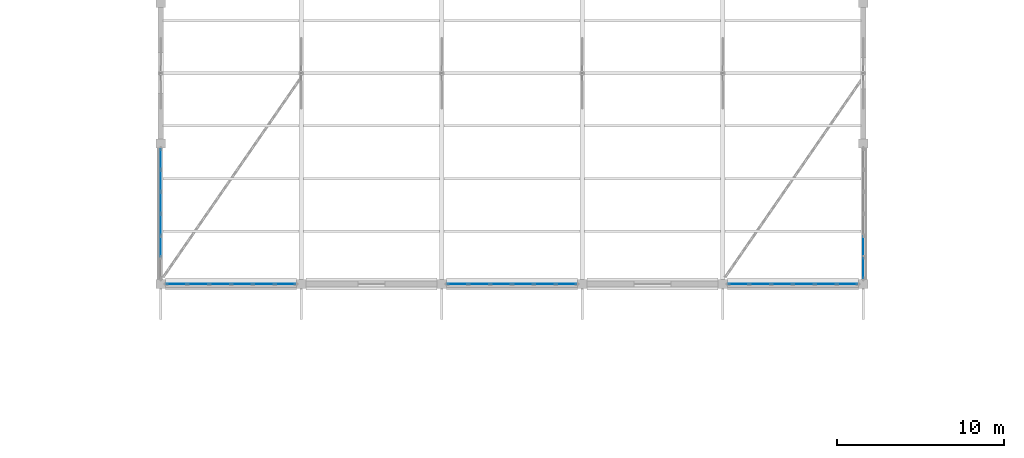
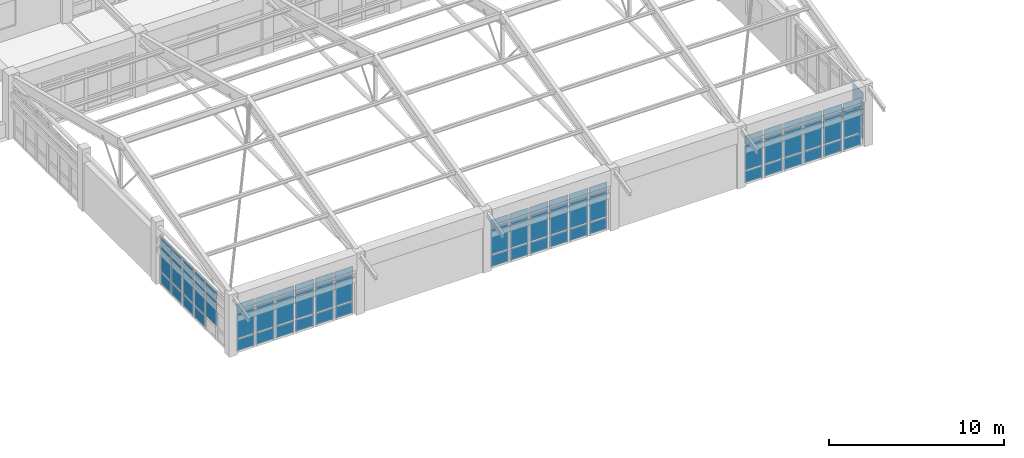
# One storey, part 60 of 99: 72 plates, 5 elements without a shape of their own.
"""IFC4 building model written with IfcOpenShell, lengths in metres."""

from ifc_helpers import new_model, si_unit, direction, frame, origin, origin_2d, place, context, subcontext, project, spatial, rectangle, extrude, material, layer, layer_set, type_object, element, aggregate, save


model = new_model("IFC4")

# Units and contexts
model_context = context("Model", 3, precision=1e-05, world=origin(), true_north=direction((0.0, 1.0)))
body_context = subcontext(model_context, "Body", "Model", "MODEL_VIEW")
ifc_project = project(units=[si_unit("LENGTHUNIT", "METRE"), si_unit("AREAUNIT", "SQUARE_METRE"), si_unit("VOLUMEUNIT", "CUBIC_METRE"), si_unit("PLANEANGLEUNIT", "RADIAN"), si_unit("MASSUNIT", "GRAM", prefix="KILO")], contexts=[model_context])

# Site, building, storey
site_placement = place(None, origin())
site = spatial("IfcSite", under=ifc_project, at=site_placement, CompositionType="ELEMENT")
building_placement = place(site_placement, origin())
building = spatial("IfcBuilding", under=site, at=building_placement, Name="Porcellanite Civic Hall", CompositionType="ELEMENT")
storey_placement = place(building_placement, frame((0.0, 0.0, 5.760009765625)))
storey = spatial("IfcBuildingStorey", under=building, at=storey_placement, Name="L01", CompositionType="ELEMENT", Elevation=5.760009765625)

# Curtain wall, plates
ifc_material_1 = material(Name="Anodised aluminium and solar laminated glass", Category="aluminium")
ifc_layer_1 = layer(ifc_material_1, 0.179931640625)
ifc_layer_set_1 = layer_set([ifc_layer_1], Name="Anodised aluminium and solar laminated glass")
curtain_wall_type = type_object("IfcCurtainWallType", Name="CW-SYS01", PredefinedType="NOTDEFINED", material=ifc_layer_set_1)
curtain_wall_1_placement = place(storey_placement, origin())
curtain_wall_1 = element("IfcCurtainWall", 1, at=curtain_wall_1_placement, inside=storey, type_object=curtain_wall_type, Name="Curtain wall CW-088", PredefinedType="NOTDEFINED")
ifc_material_2 = material(Name="Cyclone laminated solar-control low-E glass", Category="glass")
ifc_layer_2 = layer(ifc_material_2, 0.02392578125)
ifc_layer_set_2 = layer_set([ifc_layer_2], Name="Cyclone laminated solar-control low-E glass")
plate_type = type_object("IfcPlateType", Name="CWP-01", PredefinedType="CURTAIN_PANEL", material=ifc_layer_set_2)
plate_1_placement = place(storey_placement, frame((74.64990234375, 16.800048828125, 0.070068359375), z_axis=(0.0, 0.0, 1.0), x_axis=(-1.0, 0.0, 0.0)))
plate_1 = element("IfcPlate", 2, at=plate_1_placement, type_object=plate_type, Name="CW-088 panel 1.1", PredefinedType="CURTAIN_PANEL", context=body_context, shape_type="SweptSolid", body=[
    extrude(rectangle(XDim=1.18798828125, YDim=0.02392578125, at=origin_2d()), origin(), (0.0, 0.0, 1.0), 0.794921875),
])
plate_2_placement = place(storey_placement, frame((74.64990234375, 16.800048828125, 0.93505859375), z_axis=(0.0, 0.0, 1.0), x_axis=(-1.0, 0.0, 0.0)))
plate_2 = element("IfcPlate", 3, at=plate_2_placement, type_object=plate_type, Name="CW-088 panel 1.2", PredefinedType="CURTAIN_PANEL", context=body_context, shape_type="SweptSolid", body=[
    extrude(rectangle(XDim=1.18798828125, YDim=0.02392578125, at=origin_2d()), origin(), (0.0, 0.0, 1.0), 1.780029296875),
])
plate_3_placement = place(storey_placement, frame((74.64990234375, 16.800048828125, 2.784912109375), z_axis=(0.0, 0.0, 1.0), x_axis=(-1.0, 0.0, 0.0)))
plate_3 = element("IfcPlate", 4, at=plate_3_placement, type_object=plate_type, Name="CW-088 panel 1.3", PredefinedType="CURTAIN_PANEL", context=body_context, shape_type="SweptSolid", body=[
    extrude(rectangle(XDim=1.18798828125, YDim=0.02392578125, at=origin_2d()), origin(), (0.0, 0.0, 1.0), 0.544921875),
])
plate_4_placement = place(storey_placement, frame((73.362060546875, 16.800048828125, 0.070068359375), z_axis=(0.0, 0.0, 1.0), x_axis=(-1.0, 0.0, 0.0)))
plate_4 = element("IfcPlate", 5, at=plate_4_placement, type_object=plate_type, Name="CW-088 panel 2.1", PredefinedType="CURTAIN_PANEL", context=body_context, shape_type="SweptSolid", body=[
    extrude(rectangle(XDim=1.22802734375, YDim=0.02392578125, at=origin_2d()), origin(), (0.0, 0.0, 1.0), 0.794921875),
])
plate_5_placement = place(storey_placement, frame((73.362060546875, 16.800048828125, 0.93505859375), z_axis=(0.0, 0.0, 1.0), x_axis=(-1.0, 0.0, 0.0)))
plate_5 = element("IfcPlate", 6, at=plate_5_placement, type_object=plate_type, Name="CW-088 panel 2.2", PredefinedType="CURTAIN_PANEL", context=body_context, shape_type="SweptSolid", body=[
    extrude(rectangle(XDim=1.22802734375, YDim=0.02392578125, at=origin_2d()), origin(), (0.0, 0.0, 1.0), 1.780029296875),
])
plate_6_placement = place(storey_placement, frame((73.362060546875, 16.800048828125, 2.784912109375), z_axis=(0.0, 0.0, 1.0), x_axis=(-1.0, 0.0, 0.0)))
plate_6 = element("IfcPlate", 7, at=plate_6_placement, type_object=plate_type, Name="CW-088 panel 2.3", PredefinedType="CURTAIN_PANEL", context=body_context, shape_type="SweptSolid", body=[
    extrude(rectangle(XDim=1.22802734375, YDim=0.02392578125, at=origin_2d()), origin(), (0.0, 0.0, 1.0), 0.544921875),
])
plate_7_placement = place(storey_placement, frame((72.053955078125, 16.800048828125, 0.070068359375), z_axis=(0.0, 0.0, 1.0), x_axis=(-1.0, 0.0, 0.0)))
plate_7 = element("IfcPlate", 8, at=plate_7_placement, type_object=plate_type, Name="CW-088 panel 3.1", PredefinedType="CURTAIN_PANEL", context=body_context, shape_type="SweptSolid", body=[
    extrude(rectangle(XDim=1.22802734375, YDim=0.02392578125, at=origin_2d()), origin(), (0.0, 0.0, 1.0), 0.794921875),
])
plate_8_placement = place(storey_placement, frame((72.053955078125, 16.800048828125, 0.93505859375), z_axis=(0.0, 0.0, 1.0), x_axis=(-1.0, 0.0, 0.0)))
plate_8 = element("IfcPlate", 9, at=plate_8_placement, type_object=plate_type, Name="CW-088 panel 3.2", PredefinedType="CURTAIN_PANEL", context=body_context, shape_type="SweptSolid", body=[
    extrude(rectangle(XDim=1.22802734375, YDim=0.02392578125, at=origin_2d()), origin(), (0.0, 0.0, 1.0), 1.780029296875),
])
plate_9_placement = place(storey_placement, frame((72.053955078125, 16.800048828125, 2.784912109375), z_axis=(0.0, 0.0, 1.0), x_axis=(-1.0, 0.0, 0.0)))
plate_9 = element("IfcPlate", 10, at=plate_9_placement, type_object=plate_type, Name="CW-088 panel 3.3", PredefinedType="CURTAIN_PANEL", context=body_context, shape_type="SweptSolid", body=[
    extrude(rectangle(XDim=1.22802734375, YDim=0.02392578125, at=origin_2d()), origin(), (0.0, 0.0, 1.0), 0.544921875),
])
plate_10_placement = place(storey_placement, frame((70.74609375, 16.800048828125, 0.070068359375), z_axis=(0.0, 0.0, 1.0), x_axis=(-1.0, 0.0, 0.0)))
plate_10 = element("IfcPlate", 11, at=plate_10_placement, type_object=plate_type, Name="CW-088 panel 4.1", PredefinedType="CURTAIN_PANEL", context=body_context, shape_type="SweptSolid", body=[
    extrude(rectangle(XDim=1.22802734375, YDim=0.02392578125, at=origin_2d()), origin(), (0.0, 0.0, 1.0), 0.794921875),
])
plate_11_placement = place(storey_placement, frame((70.74609375, 16.800048828125, 0.93505859375), z_axis=(0.0, 0.0, 1.0), x_axis=(-1.0, 0.0, 0.0)))
plate_11 = element("IfcPlate", 12, at=plate_11_placement, type_object=plate_type, Name="CW-088 panel 4.2", PredefinedType="CURTAIN_PANEL", context=body_context, shape_type="SweptSolid", body=[
    extrude(rectangle(XDim=1.22802734375, YDim=0.02392578125, at=origin_2d()), origin(), (0.0, 0.0, 1.0), 1.780029296875),
])
plate_12_placement = place(storey_placement, frame((70.74609375, 16.800048828125, 2.784912109375), z_axis=(0.0, 0.0, 1.0), x_axis=(-1.0, 0.0, 0.0)))
plate_12 = element("IfcPlate", 13, at=plate_12_placement, type_object=plate_type, Name="CW-088 panel 4.3", PredefinedType="CURTAIN_PANEL", context=body_context, shape_type="SweptSolid", body=[
    extrude(rectangle(XDim=1.22802734375, YDim=0.02392578125, at=origin_2d()), origin(), (0.0, 0.0, 1.0), 0.544921875),
])
plate_13_placement = place(storey_placement, frame((69.43798828125, 16.800048828125, 0.070068359375), z_axis=(0.0, 0.0, 1.0), x_axis=(-1.0, 0.0, 0.0)))
plate_13 = element("IfcPlate", 14, at=plate_13_placement, type_object=plate_type, Name="CW-088 panel 5.1", PredefinedType="CURTAIN_PANEL", context=body_context, shape_type="SweptSolid", body=[
    extrude(rectangle(XDim=1.22802734375, YDim=0.02392578125, at=origin_2d()), origin(), (0.0, 0.0, 1.0), 0.794921875),
])
plate_14_placement = place(storey_placement, frame((69.43798828125, 16.800048828125, 0.93505859375), z_axis=(0.0, 0.0, 1.0), x_axis=(-1.0, 0.0, 0.0)))
plate_14 = element("IfcPlate", 15, at=plate_14_placement, type_object=plate_type, Name="CW-088 panel 5.2", PredefinedType="CURTAIN_PANEL", context=body_context, shape_type="SweptSolid", body=[
    extrude(rectangle(XDim=1.22802734375, YDim=0.02392578125, at=origin_2d()), origin(), (0.0, 0.0, 1.0), 1.780029296875),
])
plate_15_placement = place(storey_placement, frame((69.43798828125, 16.800048828125, 2.784912109375), z_axis=(0.0, 0.0, 1.0), x_axis=(-1.0, 0.0, 0.0)))
plate_15 = element("IfcPlate", 16, at=plate_15_placement, type_object=plate_type, Name="CW-088 panel 5.3", PredefinedType="CURTAIN_PANEL", context=body_context, shape_type="SweptSolid", body=[
    extrude(rectangle(XDim=1.22802734375, YDim=0.02392578125, at=origin_2d()), origin(), (0.0, 0.0, 1.0), 0.544921875),
])
plate_16_placement = place(storey_placement, frame((68.14990234375, 16.800048828125, 0.070068359375), z_axis=(0.0, 0.0, 1.0), x_axis=(-1.0, 0.0, 0.0)))
plate_16 = element("IfcPlate", 17, at=plate_16_placement, type_object=plate_type, Name="CW-088 panel 6.1", PredefinedType="CURTAIN_PANEL", context=body_context, shape_type="SweptSolid", body=[
    extrude(rectangle(XDim=1.18798828125, YDim=0.02392578125, at=origin_2d()), origin(), (0.0, 0.0, 1.0), 0.794921875),
])
plate_17_placement = place(storey_placement, frame((68.14990234375, 16.800048828125, 0.93505859375), z_axis=(0.0, 0.0, 1.0), x_axis=(-1.0, 0.0, 0.0)))
plate_17 = element("IfcPlate", 18, at=plate_17_placement, type_object=plate_type, Name="CW-088 panel 6.2", PredefinedType="CURTAIN_PANEL", context=body_context, shape_type="SweptSolid", body=[
    extrude(rectangle(XDim=1.18798828125, YDim=0.02392578125, at=origin_2d()), origin(), (0.0, 0.0, 1.0), 1.780029296875),
])
plate_18_placement = place(storey_placement, frame((68.14990234375, 16.800048828125, 2.784912109375), z_axis=(0.0, 0.0, 1.0), x_axis=(-1.0, 0.0, 0.0)))
plate_18 = element("IfcPlate", 19, at=plate_18_placement, type_object=plate_type, Name="CW-088 panel 6.3", PredefinedType="CURTAIN_PANEL", context=body_context, shape_type="SweptSolid", body=[
    extrude(rectangle(XDim=1.18798828125, YDim=0.02392578125, at=origin_2d()), origin(), (0.0, 0.0, 1.0), 0.544921875),
])
aggregate(curtain_wall_1, [plate_1, plate_2, plate_3, plate_4, plate_5, plate_6, plate_7, plate_8, plate_9, plate_10, plate_11, plate_12, plate_13, plate_14, plate_15, plate_16, plate_17, plate_18])

curtain_wall_2_placement = place(storey_placement, origin())
curtain_wall_2 = element("IfcCurtainWall", 20, at=curtain_wall_2_placement, inside=storey, type_object=curtain_wall_type, Name="Curtain wall CW-089", PredefinedType="NOTDEFINED")
plate_19_placement = place(storey_placement, frame((67.199951171875, 19.0380859375, 0.93505859375), z_axis=(0.0, 0.0, 1.0), x_axis=(0.0, 1.0, 0.0)))
plate_19 = element("IfcPlate", 21, at=plate_19_placement, type_object=plate_type, Name="CW-089 panel 2.2", PredefinedType="CURTAIN_PANEL", context=body_context, shape_type="SweptSolid", body=[
    extrude(rectangle(XDim=1.22802734375, YDim=0.02392578125, at=origin_2d()), origin(), (0.0, 0.0, 1.0), 1.780029296875),
])
plate_20_placement = place(storey_placement, frame((67.199951171875, 19.0380859375, 2.784912109375), z_axis=(0.0, 0.0, 1.0), x_axis=(0.0, 1.0, 0.0)))
plate_20 = element("IfcPlate", 22, at=plate_20_placement, type_object=plate_type, Name="CW-089 panel 2.3", PredefinedType="CURTAIN_PANEL", context=body_context, shape_type="SweptSolid", body=[
    extrude(rectangle(XDim=1.22802734375, YDim=0.02392578125, at=origin_2d()), origin(), (0.0, 0.0, 1.0), 0.544921875),
])
plate_21_placement = place(storey_placement, frame((67.199951171875, 20.345947265625, 0.070068359375), z_axis=(0.0, 0.0, 1.0), x_axis=(0.0, 1.0, 0.0)))
plate_21 = element("IfcPlate", 23, at=plate_21_placement, type_object=plate_type, Name="CW-089 panel 3.1", PredefinedType="CURTAIN_PANEL", context=body_context, shape_type="SweptSolid", body=[
    extrude(rectangle(XDim=1.22802734375, YDim=0.02392578125, at=origin_2d()), origin(), (0.0, 0.0, 1.0), 0.794921875),
])
plate_22_placement = place(storey_placement, frame((67.199951171875, 20.345947265625, 0.93505859375), z_axis=(0.0, 0.0, 1.0), x_axis=(0.0, 1.0, 0.0)))
plate_22 = element("IfcPlate", 24, at=plate_22_placement, type_object=plate_type, Name="CW-089 panel 3.2", PredefinedType="CURTAIN_PANEL", context=body_context, shape_type="SweptSolid", body=[
    extrude(rectangle(XDim=1.22802734375, YDim=0.02392578125, at=origin_2d()), origin(), (0.0, 0.0, 1.0), 1.780029296875),
])
plate_23_placement = place(storey_placement, frame((67.199951171875, 20.345947265625, 2.784912109375), z_axis=(0.0, 0.0, 1.0), x_axis=(0.0, 1.0, 0.0)))
plate_23 = element("IfcPlate", 25, at=plate_23_placement, type_object=plate_type, Name="CW-089 panel 3.3", PredefinedType="CURTAIN_PANEL", context=body_context, shape_type="SweptSolid", body=[
    extrude(rectangle(XDim=1.22802734375, YDim=0.02392578125, at=origin_2d()), origin(), (0.0, 0.0, 1.0), 0.544921875),
])
plate_24_placement = place(storey_placement, frame((67.199951171875, 21.654052734375, 0.070068359375), z_axis=(0.0, 0.0, 1.0), x_axis=(0.0, 1.0, 0.0)))
plate_24 = element("IfcPlate", 26, at=plate_24_placement, type_object=plate_type, Name="CW-089 panel 4.1", PredefinedType="CURTAIN_PANEL", context=body_context, shape_type="SweptSolid", body=[
    extrude(rectangle(XDim=1.22802734375, YDim=0.02392578125, at=origin_2d()), origin(), (0.0, 0.0, 1.0), 0.794921875),
])
plate_25_placement = place(storey_placement, frame((67.199951171875, 21.654052734375, 0.93505859375), z_axis=(0.0, 0.0, 1.0), x_axis=(0.0, 1.0, 0.0)))
plate_25 = element("IfcPlate", 27, at=plate_25_placement, type_object=plate_type, Name="CW-089 panel 4.2", PredefinedType="CURTAIN_PANEL", context=body_context, shape_type="SweptSolid", body=[
    extrude(rectangle(XDim=1.22802734375, YDim=0.02392578125, at=origin_2d()), origin(), (0.0, 0.0, 1.0), 1.780029296875),
])
plate_26_placement = place(storey_placement, frame((67.199951171875, 21.654052734375, 2.784912109375), z_axis=(0.0, 0.0, 1.0), x_axis=(0.0, 1.0, 0.0)))
plate_26 = element("IfcPlate", 28, at=plate_26_placement, type_object=plate_type, Name="CW-089 panel 4.3", PredefinedType="CURTAIN_PANEL", context=body_context, shape_type="SweptSolid", body=[
    extrude(rectangle(XDim=1.22802734375, YDim=0.02392578125, at=origin_2d()), origin(), (0.0, 0.0, 1.0), 0.544921875),
])
plate_27_placement = place(storey_placement, frame((67.199951171875, 22.9619140625, 0.070068359375), z_axis=(0.0, 0.0, 1.0), x_axis=(0.0, 1.0, 0.0)))
plate_27 = element("IfcPlate", 29, at=plate_27_placement, type_object=plate_type, Name="CW-089 panel 5.1", PredefinedType="CURTAIN_PANEL", context=body_context, shape_type="SweptSolid", body=[
    extrude(rectangle(XDim=1.22802734375, YDim=0.02392578125, at=origin_2d()), origin(), (0.0, 0.0, 1.0), 0.794921875),
])
plate_28_placement = place(storey_placement, frame((67.199951171875, 22.9619140625, 0.93505859375), z_axis=(0.0, 0.0, 1.0), x_axis=(0.0, 1.0, 0.0)))
plate_28 = element("IfcPlate", 30, at=plate_28_placement, type_object=plate_type, Name="CW-089 panel 5.2", PredefinedType="CURTAIN_PANEL", context=body_context, shape_type="SweptSolid", body=[
    extrude(rectangle(XDim=1.22802734375, YDim=0.02392578125, at=origin_2d()), origin(), (0.0, 0.0, 1.0), 1.780029296875),
])
plate_29_placement = place(storey_placement, frame((67.199951171875, 22.9619140625, 2.784912109375), z_axis=(0.0, 0.0, 1.0), x_axis=(0.0, 1.0, 0.0)))
plate_29 = element("IfcPlate", 31, at=plate_29_placement, type_object=plate_type, Name="CW-089 panel 5.3", PredefinedType="CURTAIN_PANEL", context=body_context, shape_type="SweptSolid", body=[
    extrude(rectangle(XDim=1.22802734375, YDim=0.02392578125, at=origin_2d()), origin(), (0.0, 0.0, 1.0), 0.544921875),
])
plate_30_placement = place(storey_placement, frame((67.199951171875, 24.25, 0.070068359375), z_axis=(0.0, 0.0, 1.0), x_axis=(0.0, 1.0, 0.0)))
plate_30 = element("IfcPlate", 32, at=plate_30_placement, type_object=plate_type, Name="CW-089 panel 6.1", PredefinedType="CURTAIN_PANEL", context=body_context, shape_type="SweptSolid", body=[
    extrude(rectangle(XDim=1.18798828125, YDim=0.02392578125, at=origin_2d()), origin(), (0.0, 0.0, 1.0), 0.794921875),
])
plate_31_placement = place(storey_placement, frame((67.199951171875, 24.25, 0.93505859375), z_axis=(0.0, 0.0, 1.0), x_axis=(0.0, 1.0, 0.0)))
plate_31 = element("IfcPlate", 33, at=plate_31_placement, type_object=plate_type, Name="CW-089 panel 6.2", PredefinedType="CURTAIN_PANEL", context=body_context, shape_type="SweptSolid", body=[
    extrude(rectangle(XDim=1.18798828125, YDim=0.02392578125, at=origin_2d()), origin(), (0.0, 0.0, 1.0), 1.780029296875),
])
plate_32_placement = place(storey_placement, frame((67.199951171875, 24.25, 2.784912109375), z_axis=(0.0, 0.0, 1.0), x_axis=(0.0, 1.0, 0.0)))
plate_32 = element("IfcPlate", 34, at=plate_32_placement, type_object=plate_type, Name="CW-089 panel 6.3", PredefinedType="CURTAIN_PANEL", context=body_context, shape_type="SweptSolid", body=[
    extrude(rectangle(XDim=1.18798828125, YDim=0.02392578125, at=origin_2d()), origin(), (0.0, 0.0, 1.0), 0.544921875),
])
aggregate(curtain_wall_2, [plate_19, plate_20, plate_21, plate_22, plate_23, plate_24, plate_25, plate_26, plate_27, plate_28, plate_29, plate_30, plate_31, plate_32])

curtain_wall_3_placement = place(storey_placement, origin())
curtain_wall_3 = element("IfcCurtainWall", 35, at=curtain_wall_3_placement, inside=storey, type_object=curtain_wall_type, Name="Curtain wall CW-095", PredefinedType="NOTDEFINED")
plate_33_placement = place(storey_placement, frame((91.449951171875, 16.800048828125, 0.070068359375), z_axis=(0.0, 0.0, 1.0), x_axis=(-1.0, 0.0, 0.0)))
plate_33 = element("IfcPlate", 36, at=plate_33_placement, type_object=plate_type, Name="CW-095 panel 1.1", PredefinedType="CURTAIN_PANEL", context=body_context, shape_type="SweptSolid", body=[
    extrude(rectangle(XDim=1.18798828125, YDim=0.02392578125, at=origin_2d()), origin(), (0.0, 0.0, 1.0), 0.794921875),
])
plate_34_placement = place(storey_placement, frame((91.449951171875, 16.800048828125, 0.93505859375), z_axis=(0.0, 0.0, 1.0), x_axis=(-1.0, 0.0, 0.0)))
plate_34 = element("IfcPlate", 37, at=plate_34_placement, type_object=plate_type, Name="CW-095 panel 1.2", PredefinedType="CURTAIN_PANEL", context=body_context, shape_type="SweptSolid", body=[
    extrude(rectangle(XDim=1.18798828125, YDim=0.02392578125, at=origin_2d()), origin(), (0.0, 0.0, 1.0), 1.780029296875),
])
plate_35_placement = place(storey_placement, frame((91.449951171875, 16.800048828125, 2.784912109375), z_axis=(0.0, 0.0, 1.0), x_axis=(-1.0, 0.0, 0.0)))
plate_35 = element("IfcPlate", 38, at=plate_35_placement, type_object=plate_type, Name="CW-095 panel 1.3", PredefinedType="CURTAIN_PANEL", context=body_context, shape_type="SweptSolid", body=[
    extrude(rectangle(XDim=1.18798828125, YDim=0.02392578125, at=origin_2d()), origin(), (0.0, 0.0, 1.0), 0.544921875),
])
plate_36_placement = place(storey_placement, frame((90.162109375, 16.800048828125, 0.070068359375), z_axis=(0.0, 0.0, 1.0), x_axis=(-1.0, 0.0, 0.0)))
plate_36 = element("IfcPlate", 39, at=plate_36_placement, type_object=plate_type, Name="CW-095 panel 2.1", PredefinedType="CURTAIN_PANEL", context=body_context, shape_type="SweptSolid", body=[
    extrude(rectangle(XDim=1.22802734375, YDim=0.02392578125, at=origin_2d()), origin(), (0.0, 0.0, 1.0), 0.794921875),
])
plate_37_placement = place(storey_placement, frame((90.162109375, 16.800048828125, 0.93505859375), z_axis=(0.0, 0.0, 1.0), x_axis=(-1.0, 0.0, 0.0)))
plate_37 = element("IfcPlate", 40, at=plate_37_placement, type_object=plate_type, Name="CW-095 panel 2.2", PredefinedType="CURTAIN_PANEL", context=body_context, shape_type="SweptSolid", body=[
    extrude(rectangle(XDim=1.22802734375, YDim=0.02392578125, at=origin_2d()), origin(), (0.0, 0.0, 1.0), 1.780029296875),
])
plate_38_placement = place(storey_placement, frame((90.162109375, 16.800048828125, 2.784912109375), z_axis=(0.0, 0.0, 1.0), x_axis=(-1.0, 0.0, 0.0)))
plate_38 = element("IfcPlate", 41, at=plate_38_placement, type_object=plate_type, Name="CW-095 panel 2.3", PredefinedType="CURTAIN_PANEL", context=body_context, shape_type="SweptSolid", body=[
    extrude(rectangle(XDim=1.22802734375, YDim=0.02392578125, at=origin_2d()), origin(), (0.0, 0.0, 1.0), 0.544921875),
])
plate_39_placement = place(storey_placement, frame((88.85400390625, 16.800048828125, 0.070068359375), z_axis=(0.0, 0.0, 1.0), x_axis=(-1.0, 0.0, 0.0)))
plate_39 = element("IfcPlate", 42, at=plate_39_placement, type_object=plate_type, Name="CW-095 panel 3.1", PredefinedType="CURTAIN_PANEL", context=body_context, shape_type="SweptSolid", body=[
    extrude(rectangle(XDim=1.22802734375, YDim=0.02392578125, at=origin_2d()), origin(), (0.0, 0.0, 1.0), 0.794921875),
])
plate_40_placement = place(storey_placement, frame((88.85400390625, 16.800048828125, 0.93505859375), z_axis=(0.0, 0.0, 1.0), x_axis=(-1.0, 0.0, 0.0)))
plate_40 = element("IfcPlate", 43, at=plate_40_placement, type_object=plate_type, Name="CW-095 panel 3.2", PredefinedType="CURTAIN_PANEL", context=body_context, shape_type="SweptSolid", body=[
    extrude(rectangle(XDim=1.22802734375, YDim=0.02392578125, at=origin_2d()), origin(), (0.0, 0.0, 1.0), 1.780029296875),
])
plate_41_placement = place(storey_placement, frame((88.85400390625, 16.800048828125, 2.784912109375), z_axis=(0.0, 0.0, 1.0), x_axis=(-1.0, 0.0, 0.0)))
plate_41 = element("IfcPlate", 44, at=plate_41_placement, type_object=plate_type, Name="CW-095 panel 3.3", PredefinedType="CURTAIN_PANEL", context=body_context, shape_type="SweptSolid", body=[
    extrude(rectangle(XDim=1.22802734375, YDim=0.02392578125, at=origin_2d()), origin(), (0.0, 0.0, 1.0), 0.544921875),
])
plate_42_placement = place(storey_placement, frame((87.5458984375, 16.800048828125, 0.070068359375), z_axis=(0.0, 0.0, 1.0), x_axis=(-1.0, 0.0, 0.0)))
plate_42 = element("IfcPlate", 45, at=plate_42_placement, type_object=plate_type, Name="CW-095 panel 4.1", PredefinedType="CURTAIN_PANEL", context=body_context, shape_type="SweptSolid", body=[
    extrude(rectangle(XDim=1.22802734375, YDim=0.02392578125, at=origin_2d()), origin(), (0.0, 0.0, 1.0), 0.794921875),
])
plate_43_placement = place(storey_placement, frame((87.5458984375, 16.800048828125, 0.93505859375), z_axis=(0.0, 0.0, 1.0), x_axis=(-1.0, 0.0, 0.0)))
plate_43 = element("IfcPlate", 46, at=plate_43_placement, type_object=plate_type, Name="CW-095 panel 4.2", PredefinedType="CURTAIN_PANEL", context=body_context, shape_type="SweptSolid", body=[
    extrude(rectangle(XDim=1.22802734375, YDim=0.02392578125, at=origin_2d()), origin(), (0.0, 0.0, 1.0), 1.780029296875),
])
plate_44_placement = place(storey_placement, frame((87.5458984375, 16.800048828125, 2.784912109375), z_axis=(0.0, 0.0, 1.0), x_axis=(-1.0, 0.0, 0.0)))
plate_44 = element("IfcPlate", 47, at=plate_44_placement, type_object=plate_type, Name="CW-095 panel 4.3", PredefinedType="CURTAIN_PANEL", context=body_context, shape_type="SweptSolid", body=[
    extrude(rectangle(XDim=1.22802734375, YDim=0.02392578125, at=origin_2d()), origin(), (0.0, 0.0, 1.0), 0.544921875),
])
plate_45_placement = place(storey_placement, frame((86.238037109375, 16.800048828125, 0.070068359375), z_axis=(0.0, 0.0, 1.0), x_axis=(-1.0, 0.0, 0.0)))
plate_45 = element("IfcPlate", 48, at=plate_45_placement, type_object=plate_type, Name="CW-095 panel 5.1", PredefinedType="CURTAIN_PANEL", context=body_context, shape_type="SweptSolid", body=[
    extrude(rectangle(XDim=1.22802734375, YDim=0.02392578125, at=origin_2d()), origin(), (0.0, 0.0, 1.0), 0.794921875),
])
plate_46_placement = place(storey_placement, frame((86.238037109375, 16.800048828125, 0.93505859375), z_axis=(0.0, 0.0, 1.0), x_axis=(-1.0, 0.0, 0.0)))
plate_46 = element("IfcPlate", 49, at=plate_46_placement, type_object=plate_type, Name="CW-095 panel 5.2", PredefinedType="CURTAIN_PANEL", context=body_context, shape_type="SweptSolid", body=[
    extrude(rectangle(XDim=1.22802734375, YDim=0.02392578125, at=origin_2d()), origin(), (0.0, 0.0, 1.0), 1.780029296875),
])
plate_47_placement = place(storey_placement, frame((86.238037109375, 16.800048828125, 2.784912109375), z_axis=(0.0, 0.0, 1.0), x_axis=(-1.0, 0.0, 0.0)))
plate_47 = element("IfcPlate", 50, at=plate_47_placement, type_object=plate_type, Name="CW-095 panel 5.3", PredefinedType="CURTAIN_PANEL", context=body_context, shape_type="SweptSolid", body=[
    extrude(rectangle(XDim=1.22802734375, YDim=0.02392578125, at=origin_2d()), origin(), (0.0, 0.0, 1.0), 0.544921875),
])
plate_48_placement = place(storey_placement, frame((84.949951171875, 16.800048828125, 0.070068359375), z_axis=(0.0, 0.0, 1.0), x_axis=(-1.0, 0.0, 0.0)))
plate_48 = element("IfcPlate", 51, at=plate_48_placement, type_object=plate_type, Name="CW-095 panel 6.1", PredefinedType="CURTAIN_PANEL", context=body_context, shape_type="SweptSolid", body=[
    extrude(rectangle(XDim=1.18798828125, YDim=0.02392578125, at=origin_2d()), origin(), (0.0, 0.0, 1.0), 0.794921875),
])
plate_49_placement = place(storey_placement, frame((84.949951171875, 16.800048828125, 0.93505859375), z_axis=(0.0, 0.0, 1.0), x_axis=(-1.0, 0.0, 0.0)))
plate_49 = element("IfcPlate", 52, at=plate_49_placement, type_object=plate_type, Name="CW-095 panel 6.2", PredefinedType="CURTAIN_PANEL", context=body_context, shape_type="SweptSolid", body=[
    extrude(rectangle(XDim=1.18798828125, YDim=0.02392578125, at=origin_2d()), origin(), (0.0, 0.0, 1.0), 1.780029296875),
])
plate_50_placement = place(storey_placement, frame((84.949951171875, 16.800048828125, 2.784912109375), z_axis=(0.0, 0.0, 1.0), x_axis=(-1.0, 0.0, 0.0)))
plate_50 = element("IfcPlate", 53, at=plate_50_placement, type_object=plate_type, Name="CW-095 panel 6.3", PredefinedType="CURTAIN_PANEL", context=body_context, shape_type="SweptSolid", body=[
    extrude(rectangle(XDim=1.18798828125, YDim=0.02392578125, at=origin_2d()), origin(), (0.0, 0.0, 1.0), 0.544921875),
])
aggregate(curtain_wall_3, [plate_33, plate_34, plate_35, plate_36, plate_37, plate_38, plate_39, plate_40, plate_41, plate_42, plate_43, plate_44, plate_45, plate_46, plate_47, plate_48, plate_49, plate_50])

curtain_wall_4_placement = place(storey_placement, origin())
curtain_wall_4 = element("IfcCurtainWall", 54, at=curtain_wall_4_placement, inside=storey, type_object=curtain_wall_type, Name="Curtain wall CW-098", PredefinedType="NOTDEFINED")
plate_51_placement = place(storey_placement, frame((108.25, 16.800048828125, 0.070068359375), z_axis=(0.0, 0.0, 1.0), x_axis=(-1.0, 0.0, 0.0)))
plate_51 = element("IfcPlate", 55, at=plate_51_placement, type_object=plate_type, Name="CW-098 panel 1.1", PredefinedType="CURTAIN_PANEL", context=body_context, shape_type="SweptSolid", body=[
    extrude(rectangle(XDim=1.18798828125, YDim=0.02392578125, at=origin_2d()), origin(), (0.0, 0.0, 1.0), 0.794921875),
])
plate_52_placement = place(storey_placement, frame((108.25, 16.800048828125, 0.93505859375), z_axis=(0.0, 0.0, 1.0), x_axis=(-1.0, 0.0, 0.0)))
plate_52 = element("IfcPlate", 56, at=plate_52_placement, type_object=plate_type, Name="CW-098 panel 1.2", PredefinedType="CURTAIN_PANEL", context=body_context, shape_type="SweptSolid", body=[
    extrude(rectangle(XDim=1.18798828125, YDim=0.02392578125, at=origin_2d()), origin(), (0.0, 0.0, 1.0), 1.780029296875),
])
plate_53_placement = place(storey_placement, frame((108.25, 16.800048828125, 2.784912109375), z_axis=(0.0, 0.0, 1.0), x_axis=(-1.0, 0.0, 0.0)))
plate_53 = element("IfcPlate", 57, at=plate_53_placement, type_object=plate_type, Name="CW-098 panel 1.3", PredefinedType="CURTAIN_PANEL", context=body_context, shape_type="SweptSolid", body=[
    extrude(rectangle(XDim=1.18798828125, YDim=0.02392578125, at=origin_2d()), origin(), (0.0, 0.0, 1.0), 0.544921875),
])
plate_54_placement = place(storey_placement, frame((106.9619140625, 16.800048828125, 0.070068359375), z_axis=(0.0, 0.0, 1.0), x_axis=(-1.0, 0.0, 0.0)))
plate_54 = element("IfcPlate", 58, at=plate_54_placement, type_object=plate_type, Name="CW-098 panel 2.1", PredefinedType="CURTAIN_PANEL", context=body_context, shape_type="SweptSolid", body=[
    extrude(rectangle(XDim=1.22802734375, YDim=0.02392578125, at=origin_2d()), origin(), (0.0, 0.0, 1.0), 0.794921875),
])
plate_55_placement = place(storey_placement, frame((106.9619140625, 16.800048828125, 0.93505859375), z_axis=(0.0, 0.0, 1.0), x_axis=(-1.0, 0.0, 0.0)))
plate_55 = element("IfcPlate", 59, at=plate_55_placement, type_object=plate_type, Name="CW-098 panel 2.2", PredefinedType="CURTAIN_PANEL", context=body_context, shape_type="SweptSolid", body=[
    extrude(rectangle(XDim=1.22802734375, YDim=0.02392578125, at=origin_2d()), origin(), (0.0, 0.0, 1.0), 1.780029296875),
])
plate_56_placement = place(storey_placement, frame((106.9619140625, 16.800048828125, 2.784912109375), z_axis=(0.0, 0.0, 1.0), x_axis=(-1.0, 0.0, 0.0)))
plate_56 = element("IfcPlate", 60, at=plate_56_placement, type_object=plate_type, Name="CW-098 panel 2.3", PredefinedType="CURTAIN_PANEL", context=body_context, shape_type="SweptSolid", body=[
    extrude(rectangle(XDim=1.22802734375, YDim=0.02392578125, at=origin_2d()), origin(), (0.0, 0.0, 1.0), 0.544921875),
])
plate_57_placement = place(storey_placement, frame((105.654052734375, 16.800048828125, 0.070068359375), z_axis=(0.0, 0.0, 1.0), x_axis=(-1.0, 0.0, 0.0)))
plate_57 = element("IfcPlate", 61, at=plate_57_placement, type_object=plate_type, Name="CW-098 panel 3.1", PredefinedType="CURTAIN_PANEL", context=body_context, shape_type="SweptSolid", body=[
    extrude(rectangle(XDim=1.22802734375, YDim=0.02392578125, at=origin_2d()), origin(), (0.0, 0.0, 1.0), 0.794921875),
])
plate_58_placement = place(storey_placement, frame((105.654052734375, 16.800048828125, 0.93505859375), z_axis=(0.0, 0.0, 1.0), x_axis=(-1.0, 0.0, 0.0)))
plate_58 = element("IfcPlate", 62, at=plate_58_placement, type_object=plate_type, Name="CW-098 panel 3.2", PredefinedType="CURTAIN_PANEL", context=body_context, shape_type="SweptSolid", body=[
    extrude(rectangle(XDim=1.22802734375, YDim=0.02392578125, at=origin_2d()), origin(), (0.0, 0.0, 1.0), 1.780029296875),
])
plate_59_placement = place(storey_placement, frame((105.654052734375, 16.800048828125, 2.784912109375), z_axis=(0.0, 0.0, 1.0), x_axis=(-1.0, 0.0, 0.0)))
plate_59 = element("IfcPlate", 63, at=plate_59_placement, type_object=plate_type, Name="CW-098 panel 3.3", PredefinedType="CURTAIN_PANEL", context=body_context, shape_type="SweptSolid", body=[
    extrude(rectangle(XDim=1.22802734375, YDim=0.02392578125, at=origin_2d()), origin(), (0.0, 0.0, 1.0), 0.544921875),
])
plate_60_placement = place(storey_placement, frame((104.345947265625, 16.800048828125, 0.070068359375), z_axis=(0.0, 0.0, 1.0), x_axis=(-1.0, 0.0, 0.0)))
plate_60 = element("IfcPlate", 64, at=plate_60_placement, type_object=plate_type, Name="CW-098 panel 4.1", PredefinedType="CURTAIN_PANEL", context=body_context, shape_type="SweptSolid", body=[
    extrude(rectangle(XDim=1.22802734375, YDim=0.02392578125, at=origin_2d()), origin(), (0.0, 0.0, 1.0), 0.794921875),
])
plate_61_placement = place(storey_placement, frame((104.345947265625, 16.800048828125, 0.93505859375), z_axis=(0.0, 0.0, 1.0), x_axis=(-1.0, 0.0, 0.0)))
plate_61 = element("IfcPlate", 65, at=plate_61_placement, type_object=plate_type, Name="CW-098 panel 4.2", PredefinedType="CURTAIN_PANEL", context=body_context, shape_type="SweptSolid", body=[
    extrude(rectangle(XDim=1.22802734375, YDim=0.02392578125, at=origin_2d()), origin(), (0.0, 0.0, 1.0), 1.780029296875),
])
plate_62_placement = place(storey_placement, frame((104.345947265625, 16.800048828125, 2.784912109375), z_axis=(0.0, 0.0, 1.0), x_axis=(-1.0, 0.0, 0.0)))
plate_62 = element("IfcPlate", 66, at=plate_62_placement, type_object=plate_type, Name="CW-098 panel 4.3", PredefinedType="CURTAIN_PANEL", context=body_context, shape_type="SweptSolid", body=[
    extrude(rectangle(XDim=1.22802734375, YDim=0.02392578125, at=origin_2d()), origin(), (0.0, 0.0, 1.0), 0.544921875),
])
plate_63_placement = place(storey_placement, frame((103.0380859375, 16.800048828125, 0.070068359375), z_axis=(0.0, 0.0, 1.0), x_axis=(-1.0, 0.0, 0.0)))
plate_63 = element("IfcPlate", 67, at=plate_63_placement, type_object=plate_type, Name="CW-098 panel 5.1", PredefinedType="CURTAIN_PANEL", context=body_context, shape_type="SweptSolid", body=[
    extrude(rectangle(XDim=1.22802734375, YDim=0.02392578125, at=origin_2d()), origin(), (0.0, 0.0, 1.0), 0.794921875),
])
plate_64_placement = place(storey_placement, frame((103.0380859375, 16.800048828125, 0.93505859375), z_axis=(0.0, 0.0, 1.0), x_axis=(-1.0, 0.0, 0.0)))
plate_64 = element("IfcPlate", 68, at=plate_64_placement, type_object=plate_type, Name="CW-098 panel 5.2", PredefinedType="CURTAIN_PANEL", context=body_context, shape_type="SweptSolid", body=[
    extrude(rectangle(XDim=1.22802734375, YDim=0.02392578125, at=origin_2d()), origin(), (0.0, 0.0, 1.0), 1.780029296875),
])
plate_65_placement = place(storey_placement, frame((103.0380859375, 16.800048828125, 2.784912109375), z_axis=(0.0, 0.0, 1.0), x_axis=(-1.0, 0.0, 0.0)))
plate_65 = element("IfcPlate", 69, at=plate_65_placement, type_object=plate_type, Name="CW-098 panel 5.3", PredefinedType="CURTAIN_PANEL", context=body_context, shape_type="SweptSolid", body=[
    extrude(rectangle(XDim=1.22802734375, YDim=0.02392578125, at=origin_2d()), origin(), (0.0, 0.0, 1.0), 0.544921875),
])
plate_66_placement = place(storey_placement, frame((101.75, 16.800048828125, 0.070068359375), z_axis=(0.0, 0.0, 1.0), x_axis=(-1.0, 0.0, 0.0)))
plate_66 = element("IfcPlate", 70, at=plate_66_placement, type_object=plate_type, Name="CW-098 panel 6.1", PredefinedType="CURTAIN_PANEL", context=body_context, shape_type="SweptSolid", body=[
    extrude(rectangle(XDim=1.18798828125, YDim=0.02392578125, at=origin_2d()), origin(), (0.0, 0.0, 1.0), 0.794921875),
])
plate_67_placement = place(storey_placement, frame((101.75, 16.800048828125, 0.93505859375), z_axis=(0.0, 0.0, 1.0), x_axis=(-1.0, 0.0, 0.0)))
plate_67 = element("IfcPlate", 71, at=plate_67_placement, type_object=plate_type, Name="CW-098 panel 6.2", PredefinedType="CURTAIN_PANEL", context=body_context, shape_type="SweptSolid", body=[
    extrude(rectangle(XDim=1.18798828125, YDim=0.02392578125, at=origin_2d()), origin(), (0.0, 0.0, 1.0), 1.780029296875),
])
plate_68_placement = place(storey_placement, frame((101.75, 16.800048828125, 2.784912109375), z_axis=(0.0, 0.0, 1.0), x_axis=(-1.0, 0.0, 0.0)))
plate_68 = element("IfcPlate", 72, at=plate_68_placement, type_object=plate_type, Name="CW-098 panel 6.3", PredefinedType="CURTAIN_PANEL", context=body_context, shape_type="SweptSolid", body=[
    extrude(rectangle(XDim=1.18798828125, YDim=0.02392578125, at=origin_2d()), origin(), (0.0, 0.0, 1.0), 0.544921875),
])
aggregate(curtain_wall_4, [plate_51, plate_52, plate_53, plate_54, plate_55, plate_56, plate_57, plate_58, plate_59, plate_60, plate_61, plate_62, plate_63, plate_64, plate_65, plate_66, plate_67, plate_68])

curtain_wall_5_placement = place(storey_placement, origin())
curtain_wall_5 = element("IfcCurtainWall", 73, at=curtain_wall_5_placement, inside=storey, type_object=curtain_wall_type, Name="Curtain wall CW-099", PredefinedType="NOTDEFINED")
plate_69_placement = place(storey_placement, frame((109.199951171875, 19.0380859375, 0.070068359375), z_axis=(0.0, 0.0, 1.0), x_axis=(0.0, -1.0, 0.0)))
plate_69 = element("IfcPlate", 74, at=plate_69_placement, type_object=plate_type, Name="CW-099 panel 5.1", PredefinedType="CURTAIN_PANEL", context=body_context, shape_type="SweptSolid", body=[
    extrude(rectangle(XDim=1.22802734375, YDim=0.02392578125, at=origin_2d()), origin(), (0.0, 0.0, 1.0), 0.794921875),
])
plate_70_placement = place(storey_placement, frame((109.199951171875, 17.75, 0.070068359375), z_axis=(0.0, 0.0, 1.0), x_axis=(0.0, -1.0, 0.0)))
plate_70 = element("IfcPlate", 75, at=plate_70_placement, type_object=plate_type, Name="CW-099 panel 6.1", PredefinedType="CURTAIN_PANEL", context=body_context, shape_type="SweptSolid", body=[
    extrude(rectangle(XDim=1.18798828125, YDim=0.02392578125, at=origin_2d()), origin(), (0.0, 0.0, 1.0), 0.794921875),
])
plate_71_placement = place(storey_placement, frame((109.199951171875, 17.75, 0.93505859375), z_axis=(0.0, 0.0, 1.0), x_axis=(0.0, -1.0, 0.0)))
plate_71 = element("IfcPlate", 76, at=plate_71_placement, type_object=plate_type, Name="CW-099 panel 6.2", PredefinedType="CURTAIN_PANEL", context=body_context, shape_type="SweptSolid", body=[
    extrude(rectangle(XDim=1.18798828125, YDim=0.02392578125, at=origin_2d()), origin(), (0.0, 0.0, 1.0), 1.780029296875),
])
plate_72_placement = place(storey_placement, frame((109.199951171875, 17.75, 2.784912109375), z_axis=(0.0, 0.0, 1.0), x_axis=(0.0, -1.0, 0.0)))
plate_72 = element("IfcPlate", 77, at=plate_72_placement, type_object=plate_type, Name="CW-099 panel 6.3", PredefinedType="CURTAIN_PANEL", context=body_context, shape_type="SweptSolid", body=[
    extrude(rectangle(XDim=1.18798828125, YDim=0.02392578125, at=origin_2d()), origin(), (0.0, 0.0, 1.0), 0.544921875),
])
aggregate(curtain_wall_5, [plate_69, plate_70, plate_71, plate_72])

save(model, "model.ifc")
